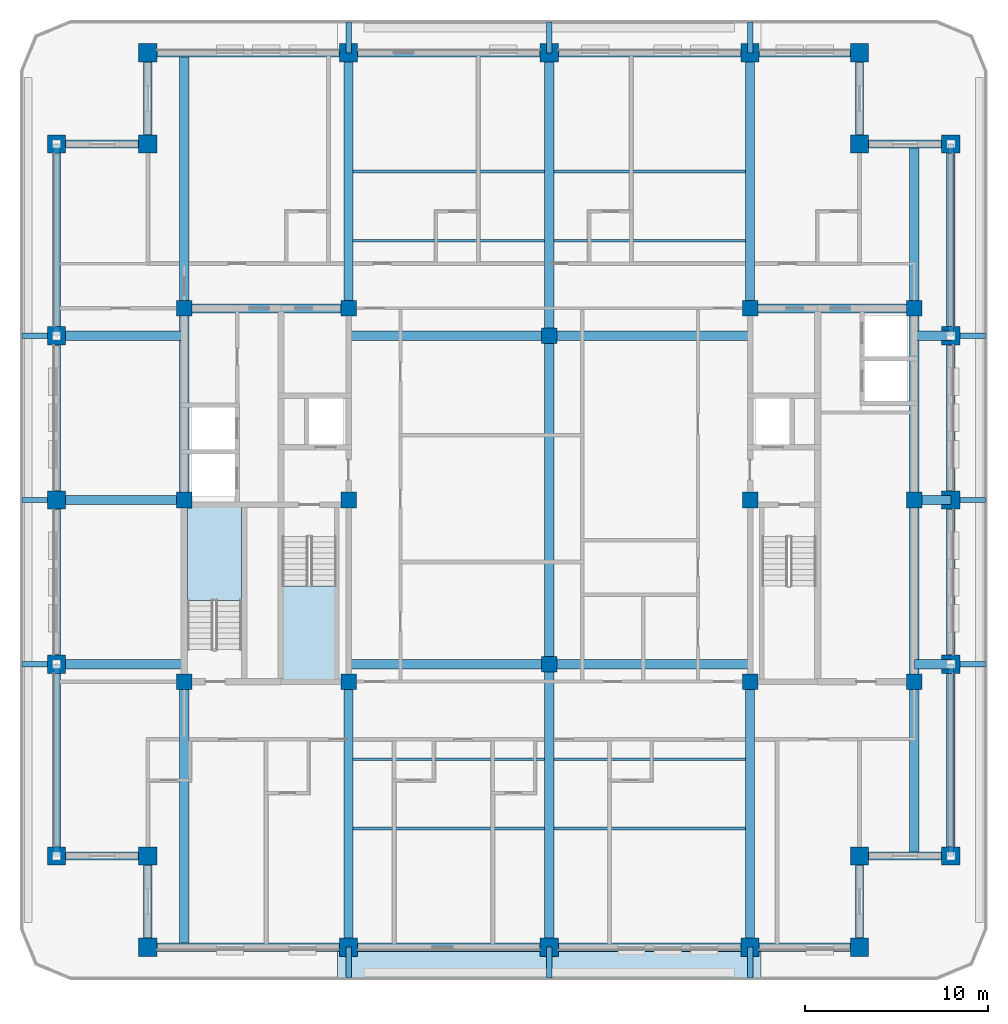
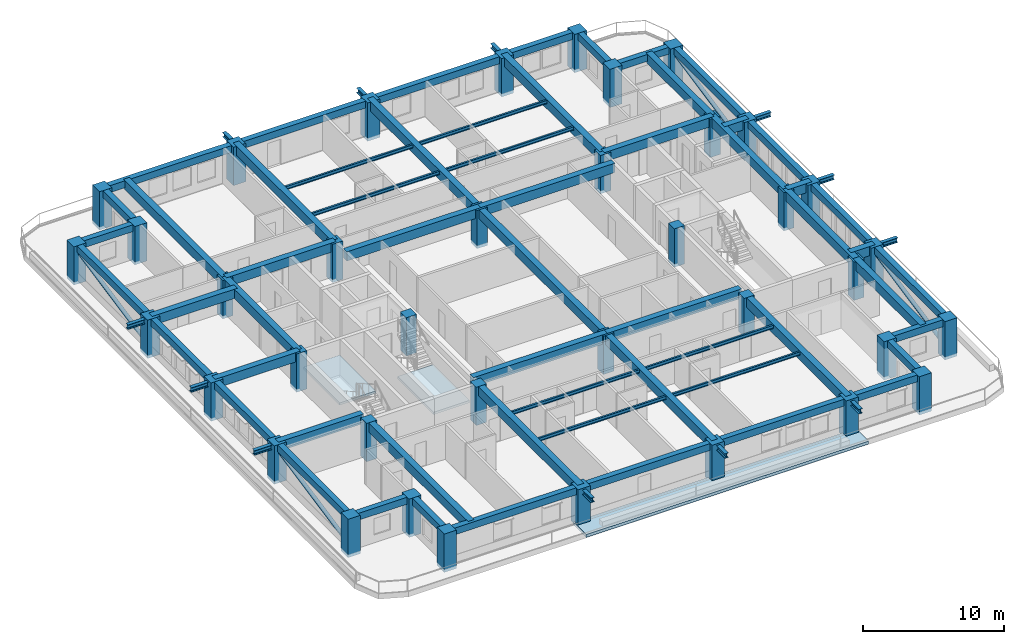
# One storey, part 1 of 14: 70 beams, 38 columns, 4 members, 3 slabs, 2 elements without a shape of their own.
"""IFC4 building model written with IfcOpenShell, lengths in metres."""

from ifc_helpers import new_model, si_unit, direction, frame, origin, origin_2d, place, context, subcontext, project, spatial, polyline, rectangle, hollow_circle, i_section, outline, extrude, material, layer, layer_set, material_profile, profile_set, type_object, element, aggregate, save


model = new_model("IFC4")

# Units and contexts
model_context = context("Model", 3, precision=1e-05, world=origin(), true_north=direction((0.0, 1.0)))
body_context = subcontext(model_context, "Body", "Model", "MODEL_VIEW")
ifc_project = project(units=[si_unit("LENGTHUNIT", "METRE"), si_unit("AREAUNIT", "SQUARE_METRE"), si_unit("VOLUMEUNIT", "CUBIC_METRE"), si_unit("PLANEANGLEUNIT", "RADIAN"), si_unit("MASSUNIT", "GRAM", prefix="KILO")], contexts=[model_context])

# Site, building, storey
site_placement = place(None, origin())
site = spatial("IfcSite", under=ifc_project, at=site_placement, CompositionType="ELEMENT")
building_placement = place(site_placement, origin())
building = spatial("IfcBuilding", under=site, at=building_placement, Name="Zulmaris Gate Convention Tower", CompositionType="ELEMENT")
storey_placement = place(building_placement, frame((0.0, 0.0, 208.4599609375)))
storey = spatial("IfcBuildingStorey", under=building, at=storey_placement, Name="L54", CompositionType="ELEMENT", Elevation=208.4599609375)

# Columns
ifc_material_1 = material(Name="Concrete C60/75", Category="concrete")
ifc_material_profile_1 = material_profile(ifc_material_1, rectangle(XDim=1.0, YDim=1.0, at=origin_2d()), Name="RC COL 1000x1000")
ifc_profile_set_1 = profile_set([ifc_material_profile_1], Name="Concrete C60/75")
column_type_1 = type_object("IfcColumnType", Name="COL-RC1000", PredefinedType="COLUMN", material=ifc_profile_set_1)
for number, where, z_axis, x_axis, name in (
    (1, (-22.0, -24.5, -0.25), (0.0, 0.0, 1.0), (1.0, 0.0, 0.0), "L54 Column PT--22.00_-24.50"),
    (2, (-11.0, -24.5, -0.25), (0.0, 0.0, 1.0), (1.0, 0.0, 0.0), "L54 Column PT--11.00_-24.50"),
    (3, (0.0, -24.5, -0.25), (0.0, 0.0, 1.0), (1.0, 0.0, 0.0), "L54 Column PT-+0.00_-24.50"),
    (4, (11.0, -24.5, -0.25), (0.0, 0.0, 1.0), (1.0, 0.0, 0.0), "L54 Column PT-+11.00_-24.50"),
    (5, (17.0, -24.5, -0.25), (0.0, 0.0, 1.0), (1.0, 0.0, 0.0), "L54 Column PT-+17.00_-24.50"),
    (6, (-22.0, 24.5, -0.25), (0.0, 0.0, 1.0), (1.0, 0.0, 0.0), "L54 Column PT--22.00_+24.50"),
    (7, (-11.0, 24.5, -0.25), (0.0, 0.0, 1.0), (1.0, 0.0, 0.0), "L54 Column PT--11.00_+24.50"),
    (8, (0.0, 24.5, -0.25), (0.0, 0.0, 1.0), (1.0, 0.0, 0.0), "L54 Column PT-+0.00_+24.50"),
    (9, (11.0, 24.5, -0.25), (0.0, 0.0, 1.0), (1.0, 0.0, 0.0), "L54 Column PT-+11.00_+24.50"),
    (10, (17.0, 24.5, -0.25), (0.0, 0.0, 1.0), (1.0, 0.0, 0.0), "L54 Column PT-+17.00_+24.50"),
    (11, (-27.0, -19.5, -0.25), (0.0, 0.0, 1.0), (1.0, 0.0, 0.0), "L54 Column PT--27.00_-19.50"),
    (12, (-27.0, -9.0, -0.25), (0.0, 0.0, 1.0), (1.0, 0.0, 0.0), "L54 Column PT--27.00_-9.00"),
    (13, (-27.0, 0.0, -0.25), (0.0, 0.0, 1.0), (1.0, 0.0, 0.0), "L54 Column PT--27.00_+0.00"),
    (14, (-27.0, 9.0, -0.25), (0.0, 0.0, 1.0), (1.0, 0.0, 0.0), "L54 Column PT--27.00_+9.00"),
    (15, (-27.0, 19.5, -0.25), (0.0, 0.0, 1.0), (1.0, 0.0, 0.0), "L54 Column PT--27.00_+19.50"),
    (16, (22.0, -19.5, -0.25), (0.0, 0.0, 1.0), (1.0, 0.0, 0.0), "L54 Column PT-+22.00_-19.50"),
    (17, (22.0, -9.0, -0.25), (0.0, 0.0, 1.0), (1.0, 0.0, 0.0), "L54 Column PT-+22.00_-9.00"),
    (18, (22.0, 0.0, -0.25), (0.0, 0.0, 1.0), (1.0, 0.0, 0.0), "L54 Column PT-+22.00_+0.00"),
    (19, (22.0, 9.0, -0.25), (0.0, 0.0, 1.0), (1.0, 0.0, 0.0), "L54 Column PT-+22.00_+9.00"),
    (20, (22.0, 19.5, -0.25), (0.0, 0.0, 1.0), (1.0, 0.0, 0.0), "L54 Column PT-+22.00_+19.50"),
    (21, (-22.0, -19.5, -0.25), (0.0, 0.0, 1.0), (1.0, 0.0, 0.0), "L54 Column PT--22.00_-19.50"),
    (22, (17.0, -19.5, -0.25), (0.0, 0.0, 1.0), (1.0, 0.0, 0.0), "L54 Column PT-+17.00_-19.50"),
    (23, (17.0, 19.5, -0.25), (0.0, 0.0, 1.0), (1.0, 0.0, 0.0), "L54 Column PT-+17.00_+19.50"),
    (24, (-22.0, 19.5, -0.25), (0.0, 0.0, 1.0), (1.0, 0.0, 0.0), "L54 Column PT--22.00_+19.50"),
):
    element("IfcColumn", number, at=place(storey_placement, frame(where, z_axis=z_axis, x_axis=x_axis)), inside=storey, type_object=column_type_1, Name=name, PredefinedType="COLUMN", context=body_context, shape_type="SweptSolid", body=[
        extrude(rectangle(XDim=1.0, YDim=1.0, at=origin_2d()), origin(), (0.0, 0.0, 1.0), 3.324951171875),
    ])
ifc_material_profile_2 = material_profile(ifc_material_1, rectangle(XDim=0.85009765625, YDim=0.85009765625, at=origin_2d()), Name="RC COL 850x850")
ifc_profile_set_2 = profile_set([ifc_material_profile_2], Name="Concrete C60/75")
column_type_2 = type_object("IfcColumnType", Name="COL-RC850", PredefinedType="COLUMN", material=ifc_profile_set_2)
for number, where, z_axis, x_axis, name in (
    (25, (-20.0, -9.949951171875, -0.25), (0.0, 0.0, 1.0), (1.0, 0.0, 0.0), "L54 Column IN--20.00_-9.95"),
    (26, (-20.0, 10.5, -0.25), (0.0, 0.0, 1.0), (1.0, 0.0, 0.0), "L54 Column IN--20.00_+10.50"),
    (27, (-11.0, -9.949951171875, -0.25), (0.0, 0.0, 1.0), (1.0, 0.0, 0.0), "L54 Column IN--11.00_-9.95"),
    (28, (-11.0, 0.0, -0.25), (0.0, 0.0, 1.0), (1.0, 0.0, 0.0), "L54 Column IN--11.00_+0.00"),
    (29, (-11.0, 10.5, -0.25), (0.0, 0.0, 1.0), (1.0, 0.0, 0.0), "L54 Column IN--11.00_+10.50"),
    (30, (11.0, -9.949951171875, -0.25), (0.0, 0.0, 1.0), (1.0, 0.0, 0.0), "L54 Column IN-+11.00_-9.95"),
    (31, (11.0, 0.0, -0.25), (0.0, 0.0, 1.0), (1.0, 0.0, 0.0), "L54 Column IN-+11.00_+0.00"),
    (32, (11.0, 10.5, -0.25), (0.0, 0.0, 1.0), (1.0, 0.0, 0.0), "L54 Column IN-+11.00_+10.50"),
    (33, (20.0, -9.949951171875, -0.25), (0.0, 0.0, 1.0), (1.0, 0.0, 0.0), "L54 Column IN-+20.00_-9.95"),
    (34, (20.0, 10.5, -0.25), (0.0, 0.0, 1.0), (1.0, 0.0, 0.0), "L54 Column IN-+20.00_+10.50"),
    (35, (0.0, -9.0, -0.25), (0.0, 0.0, 1.0), (1.0, 0.0, 0.0), "L54 Column IN-+0.00_-9.00"),
    (36, (0.0, 9.0, -0.25), (0.0, 0.0, 1.0), (1.0, 0.0, 0.0), "L54 Column IN-+0.00_+9.00"),
    (37, (-20.0, 0.0, -0.25), (0.0, 0.0, 1.0), (1.0, 0.0, 0.0), "L54 Column IN--20.00_+0.00"),
    (38, (20.0, 0.0, -0.25), (0.0, 0.0, 1.0), (1.0, 0.0, 0.0), "L54 Column IN-+20.00_+0.00"),
):
    element("IfcColumn", number, at=place(storey_placement, frame(where, z_axis=z_axis, x_axis=x_axis)), inside=storey, type_object=column_type_2, Name=name, PredefinedType="COLUMN", context=body_context, shape_type="SweptSolid", body=[
        extrude(rectangle(XDim=0.85009765625, YDim=0.85009765625, at=origin_2d()), origin(), (0.0, 0.0, 1.0), 3.324951171875),
    ])

# Beams
ifc_material_2 = material(Name="Steel S355", Category="steel")
ifc_material_profile_3 = material_profile(ifc_material_2, i_section(OverallWidth=0.300048828125, OverallDepth=0.39990234375, WebThickness=0.013427734375, FlangeThickness=0.02392578125, FilletRadius=0.027099609375, at=origin_2d()), Name="HEB 400")
ifc_profile_set_3 = profile_set([ifc_material_profile_3], Name="Steel S355")
beam_type_1 = type_object("IfcBeamType", Name="BM-HEB400", PredefinedType="BEAM", material=ifc_profile_set_3)
for number, where, z_axis, x_axis, name in (
    (39, (-11.0, -26.199951171875, 2.73486328125), (0.0, 1.0, 0.0), (-1.0, 0.0, 0.0), "L54 Beam TBRK-L54-S--11"),
    (40, (-11.0, 24.5, 2.73486328125), (0.0, 1.0, 0.0), (-1.0, 0.0, 0.0), "L54 Beam TBRK-L54-N--11"),
    (41, (0.0, -26.199951171875, 2.73486328125), (0.0, 1.0, 0.0), (-1.0, 0.0, 0.0), "L54 Beam TBRK-L54-S-+0"),
    (42, (0.0, 24.5, 2.73486328125), (0.0, 1.0, 0.0), (-1.0, 0.0, 0.0), "L54 Beam TBRK-L54-N-+0"),
    (43, (11.0, -26.199951171875, 2.73486328125), (0.0, 1.0, 0.0), (-1.0, 0.0, 0.0), "L54 Beam TBRK-L54-S-+11"),
    (44, (11.0, 24.5, 2.73486328125), (0.0, 1.0, 0.0), (-1.0, 0.0, 0.0), "L54 Beam TBRK-L54-N-+11"),
):
    element("IfcBeam", number, at=place(storey_placement, frame(where, z_axis=z_axis, x_axis=x_axis)), inside=storey, type_object=beam_type_1, Name=name, PredefinedType="BEAM", context=body_context, shape_type="SweptSolid", body=[
        extrude(i_section(OverallWidth=0.300048828125, OverallDepth=0.39990234375, WebThickness=0.013427734375, FlangeThickness=0.02392578125, FilletRadius=0.027099609375, at=origin_2d()), origin(), (0.0, 0.0, 1.0), 1.699951171875),
    ])
for number, where, z_axis, x_axis, name in (
    (45, (-28.89990234375, -9.0, 2.73486328125), (1.0, 0.0, 0.0), (0.0, 1.0, 0.0), "L54 Beam TBRK-L54-W--9"),
    (46, (22.0, -9.0, 2.73486328125), (1.0, 0.0, 0.0), (0.0, 1.0, 0.0), "L54 Beam TBRK-L54-E--9"),
    (47, (-28.89990234375, 0.0, 2.73486328125), (1.0, 0.0, 0.0), (0.0, 1.0, 0.0), "L54 Beam TBRK-L54-W-+0"),
    (48, (22.0, 0.0, 2.73486328125), (1.0, 0.0, 0.0), (0.0, 1.0, 0.0), "L54 Beam TBRK-L54-E-+0"),
    (49, (-28.89990234375, 9.0, 2.73486328125), (1.0, 0.0, 0.0), (0.0, 1.0, 0.0), "L54 Beam TBRK-L54-W-+9"),
    (50, (22.0, 9.0, 2.73486328125), (1.0, 0.0, 0.0), (0.0, 1.0, 0.0), "L54 Beam TBRK-L54-E-+9"),
):
    element("IfcBeam", number, at=place(storey_placement, frame(where, z_axis=z_axis, x_axis=x_axis)), inside=storey, type_object=beam_type_1, Name=name, PredefinedType="BEAM", context=body_context, shape_type="SweptSolid", body=[
        extrude(i_section(OverallWidth=0.300048828125, OverallDepth=0.39990234375, WebThickness=0.013427734375, FlangeThickness=0.02392578125, FilletRadius=0.027099609375, at=origin_2d()), origin(), (0.0, 0.0, 1.0), 1.89990234375),
    ])
ifc_material_3 = material(Name="Concrete C50/60", Category="concrete")
ifc_material_profile_4 = material_profile(ifc_material_3, rectangle(XDim=0.5, YDim=0.800048828125, at=origin_2d()), Name="RC BEAM 500x800")
ifc_profile_set_4 = profile_set([ifc_material_profile_4], Name="Concrete C50/60")
beam_type_2 = type_object("IfcBeamType", Name="BM-RC500x800", PredefinedType="BEAM", material=ifc_profile_set_4)
for number, where, z_axis, x_axis, name in (
    (51, (-11.0, -9.0, 2.675048828125), (1.0, 0.0, 0.0), (0.0, 1.0, 0.0), "L54 Beam BM-L54-G01"),
    (52, (0.0, -9.0, 2.675048828125), (1.0, 0.0, 0.0), (0.0, 1.0, 0.0), "L54 Beam BM-L54-G02"),
    (53, (-11.0, 9.0, 2.675048828125), (1.0, 0.0, 0.0), (0.0, 1.0, 0.0), "L54 Beam BM-L54-G03"),
    (54, (0.0, 9.0, 2.675048828125), (1.0, 0.0, 0.0), (0.0, 1.0, 0.0), "L54 Beam BM-L54-G04"),
):
    element("IfcBeam", number, at=place(storey_placement, frame(where, z_axis=z_axis, x_axis=x_axis)), inside=storey, type_object=beam_type_2, Name=name, PredefinedType="BEAM", context=body_context, shape_type="SweptSolid", body=[
        extrude(rectangle(XDim=0.5, YDim=0.800048828125, at=origin_2d()), origin(), (0.0, 0.0, 1.0), 11.0),
    ])
beam_1_placement = place(storey_placement, frame((0.0, -24.5, 2.675048828125), z_axis=(0.0, 1.0, 0.0), x_axis=(-1.0, 0.0, 0.0)))
element("IfcBeam", 55, at=beam_1_placement, inside=storey, type_object=beam_type_2, Name="L54 Beam BM-L54-G05", PredefinedType="BEAM", context=body_context, shape_type="SweptSolid", body=[
    extrude(rectangle(XDim=0.5, YDim=0.800048828125, at=origin_2d()), origin(), (0.0, 0.0, 1.0), 15.5),
])
beam_2_placement = place(storey_placement, frame((0.0, -9.0, 2.675048828125), z_axis=(0.0, 1.0, 0.0), x_axis=(-1.0, 0.0, 0.0)))
element("IfcBeam", 56, at=beam_2_placement, inside=storey, type_object=beam_type_2, Name="L54 Beam BM-L54-G06", PredefinedType="BEAM", context=body_context, shape_type="SweptSolid", body=[
    extrude(rectangle(XDim=0.5, YDim=0.800048828125, at=origin_2d()), origin(), (0.0, 0.0, 1.0), 18.0),
])
beam_3_placement = place(storey_placement, frame((0.0, 9.0, 2.675048828125), z_axis=(0.0, 1.0, 0.0), x_axis=(-1.0, 0.0, 0.0)))
element("IfcBeam", 57, at=beam_3_placement, inside=storey, type_object=beam_type_2, Name="L54 Beam BM-L54-G07", PredefinedType="BEAM", context=body_context, shape_type="SweptSolid", body=[
    extrude(rectangle(XDim=0.5, YDim=0.800048828125, at=origin_2d()), origin(), (0.0, 0.0, 1.0), 15.5),
])
beam_4_placement = place(storey_placement, frame((-11.0, -24.5, 2.675048828125), z_axis=(0.0, 1.0, 0.0), x_axis=(-1.0, 0.0, 0.0)))
element("IfcBeam", 58, at=beam_4_placement, inside=storey, type_object=beam_type_2, Name="L54 Beam BM-L54-G08", PredefinedType="BEAM", context=body_context, shape_type="SweptSolid", body=[
    extrude(rectangle(XDim=0.5, YDim=0.800048828125, at=origin_2d()), origin(), (0.0, 0.0, 1.0), 14.550048828125),
])
beam_5_placement = place(storey_placement, frame((-11.0, 10.5, 2.675048828125), z_axis=(0.0, 1.0, 0.0), x_axis=(-1.0, 0.0, 0.0)))
element("IfcBeam", 59, at=beam_5_placement, inside=storey, type_object=beam_type_2, Name="L54 Beam BM-L54-G09", PredefinedType="BEAM", context=body_context, shape_type="SweptSolid", body=[
    extrude(rectangle(XDim=0.5, YDim=0.800048828125, at=origin_2d()), origin(), (0.0, 0.0, 1.0), 14.0),
])
beam_6_placement = place(storey_placement, frame((11.0, -24.5, 2.675048828125), z_axis=(0.0, 1.0, 0.0), x_axis=(-1.0, 0.0, 0.0)))
element("IfcBeam", 60, at=beam_6_placement, inside=storey, type_object=beam_type_2, Name="L54 Beam BM-L54-G10", PredefinedType="BEAM", context=body_context, shape_type="SweptSolid", body=[
    extrude(rectangle(XDim=0.5, YDim=0.800048828125, at=origin_2d()), origin(), (0.0, 0.0, 1.0), 14.550048828125),
])
beam_7_placement = place(storey_placement, frame((11.0, 10.5, 2.675048828125), z_axis=(0.0, 1.0, 0.0), x_axis=(-1.0, 0.0, 0.0)))
element("IfcBeam", 61, at=beam_7_placement, inside=storey, type_object=beam_type_2, Name="L54 Beam BM-L54-G11", PredefinedType="BEAM", context=body_context, shape_type="SweptSolid", body=[
    extrude(rectangle(XDim=0.5, YDim=0.800048828125, at=origin_2d()), origin(), (0.0, 0.0, 1.0), 14.0),
])
beam_8_placement = place(storey_placement, frame((-20.0, -24.5, 2.675048828125), z_axis=(0.0, 1.0, 0.0), x_axis=(-1.0, 0.0, 0.0)))
element("IfcBeam", 62, at=beam_8_placement, inside=storey, type_object=beam_type_2, Name="L54 Beam BM-L54-G12", PredefinedType="BEAM", context=body_context, shape_type="SweptSolid", body=[
    extrude(rectangle(XDim=0.5, YDim=0.800048828125, at=origin_2d()), origin(), (0.0, 0.0, 1.0), 14.550048828125),
])
beam_9_placement = place(storey_placement, frame((-20.0, 10.5, 2.675048828125), z_axis=(0.0, 1.0, 0.0), x_axis=(-1.0, 0.0, 0.0)))
element("IfcBeam", 63, at=beam_9_placement, inside=storey, type_object=beam_type_2, Name="L54 Beam BM-L54-G13", PredefinedType="BEAM", context=body_context, shape_type="SweptSolid", body=[
    extrude(rectangle(XDim=0.5, YDim=0.800048828125, at=origin_2d()), origin(), (0.0, 0.0, 1.0), 14.0),
])
beam_10_placement = place(storey_placement, frame((20.0, -19.5, 2.675048828125), z_axis=(0.0, 1.0, 0.0), x_axis=(-1.0, 0.0, 0.0)))
element("IfcBeam", 64, at=beam_10_placement, inside=storey, type_object=beam_type_2, Name="L54 Beam BM-L54-G14", PredefinedType="BEAM", context=body_context, shape_type="SweptSolid", body=[
    extrude(rectangle(XDim=0.5, YDim=0.800048828125, at=origin_2d()), origin(), (0.0, 0.0, 1.0), 9.550048828125),
])
beam_11_placement = place(storey_placement, frame((20.0, 10.5, 2.675048828125), z_axis=(0.0, 1.0, 0.0), x_axis=(-1.0, 0.0, 0.0)))
element("IfcBeam", 65, at=beam_11_placement, inside=storey, type_object=beam_type_2, Name="L54 Beam BM-L54-G15", PredefinedType="BEAM", context=body_context, shape_type="SweptSolid", body=[
    extrude(rectangle(XDim=0.5, YDim=0.800048828125, at=origin_2d()), origin(), (0.0, 0.0, 1.0), 9.0),
])
for number, where, z_axis, x_axis, name in (
    (66, (-27.0, -9.0, 2.675048828125), (1.0, 0.0, 0.0), (0.0, 1.0, 0.0), "L54 Beam BM-L54-G16"),
    (67, (-27.0, 0.0, 2.675048828125), (1.0, 0.0, 0.0), (0.0, 1.0, 0.0), "L54 Beam BM-L54-G17"),
    (68, (-27.0, 9.0, 2.675048828125), (1.0, 0.0, 0.0), (0.0, 1.0, 0.0), "L54 Beam BM-L54-G18"),
):
    element("IfcBeam", number, at=place(storey_placement, frame(where, z_axis=z_axis, x_axis=x_axis)), inside=storey, type_object=beam_type_2, Name=name, PredefinedType="BEAM", context=body_context, shape_type="SweptSolid", body=[
        extrude(rectangle(XDim=0.5, YDim=0.800048828125, at=origin_2d()), origin(), (0.0, 0.0, 1.0), 7.0),
    ])
for number, where, z_axis, x_axis, name in (
    (69, (20.0, -9.0, 2.675048828125), (1.0, 0.0, 0.0), (0.0, 1.0, 0.0), "L54 Beam BM-L54-G19"),
    (70, (20.0, 0.0, 2.675048828125), (1.0, 0.0, 0.0), (0.0, 1.0, 0.0), "L54 Beam BM-L54-G20"),
    (71, (20.0, 9.0, 2.675048828125), (1.0, 0.0, 0.0), (0.0, 1.0, 0.0), "L54 Beam BM-L54-G21"),
):
    element("IfcBeam", number, at=place(storey_placement, frame(where, z_axis=z_axis, x_axis=x_axis)), inside=storey, type_object=beam_type_2, Name=name, PredefinedType="BEAM", context=body_context, shape_type="SweptSolid", body=[
        extrude(rectangle(XDim=0.5, YDim=0.800048828125, at=origin_2d()), origin(), (0.0, 0.0, 1.0), 2.0),
    ])
for number, where, z_axis, x_axis, name in (
    (72, (-20.0, 10.5, 2.675048828125), (1.0, 0.0, 0.0), (0.0, 1.0, 0.0), "L54 Beam BM-L54-G23"),
    (73, (11.0, 10.5, 2.675048828125), (1.0, 0.0, 0.0), (0.0, 1.0, 0.0), "L54 Beam BM-L54-G25"),
):
    element("IfcBeam", number, at=place(storey_placement, frame(where, z_axis=z_axis, x_axis=x_axis)), inside=storey, type_object=beam_type_2, Name=name, PredefinedType="BEAM", context=body_context, shape_type="SweptSolid", body=[
        extrude(rectangle(XDim=0.5, YDim=0.800048828125, at=origin_2d()), origin(), (0.0, 0.0, 1.0), 9.0),
    ])
beam_12_placement = place(storey_placement, frame((-20.0, 0.0, 2.675048828125), z_axis=(0.0, 1.0, 0.0), x_axis=(-1.0, 0.0, 0.0)))
element("IfcBeam", 74, at=beam_12_placement, inside=storey, type_object=beam_type_2, Name="L54 Beam BM-L54-G27", PredefinedType="BEAM", context=body_context, shape_type="SweptSolid", body=[
    extrude(rectangle(XDim=0.5, YDim=0.800048828125, at=origin_2d()), origin(), (0.0, 0.0, 1.0), 10.5),
])
beam_13_placement = place(storey_placement, frame((20.0, -9.949951171875, 2.675048828125), z_axis=(0.0, 1.0, 0.0), x_axis=(-1.0, 0.0, 0.0)))
element("IfcBeam", 75, at=beam_13_placement, inside=storey, type_object=beam_type_2, Name="L54 Beam BM-L54-G28", PredefinedType="BEAM", context=body_context, shape_type="SweptSolid", body=[
    extrude(rectangle(XDim=0.5, YDim=0.800048828125, at=origin_2d()), origin(), (0.0, 0.0, 1.0), 9.949951171875),
])
beam_14_placement = place(storey_placement, frame((20.0, 0.0, 2.675048828125), z_axis=(0.0, 1.0, 0.0), x_axis=(-1.0, 0.0, 0.0)))
element("IfcBeam", 76, at=beam_14_placement, inside=storey, type_object=beam_type_2, Name="L54 Beam BM-L54-G29", PredefinedType="BEAM", context=body_context, shape_type="SweptSolid", body=[
    extrude(rectangle(XDim=0.5, YDim=0.800048828125, at=origin_2d()), origin(), (0.0, 0.0, 1.0), 10.5),
])
ifc_material_4 = material(Name="Precast concrete C50/60", Category="concrete")
ifc_material_profile_5 = material_profile(ifc_material_4, rectangle(XDim=0.449951171875, YDim=0.60009765625, at=origin_2d()), Name="RC SPANDREL 450x600")
ifc_profile_set_5 = profile_set([ifc_material_profile_5], Name="Precast concrete C50/60")
beam_type_3 = type_object("IfcBeamType", Name="BM-SP450x600", PredefinedType="SPANDREL", material=ifc_profile_set_5)
for number, where, z_axis, x_axis, name in (
    (77, (-22.0, -24.5, 2.77490234375), (1.0, 0.0, 0.0), (0.0, 1.0, 0.0), "L54 Spandrel SP-L54-01"),
    (78, (-11.0, -24.5, 2.77490234375), (1.0, 0.0, 0.0), (0.0, 1.0, 0.0), "L54 Spandrel SP-L54-02"),
    (79, (0.0, -24.5, 2.77490234375), (1.0, 0.0, 0.0), (0.0, 1.0, 0.0), "L54 Spandrel SP-L54-03"),
):
    element("IfcBeam", number, at=place(storey_placement, frame(where, z_axis=z_axis, x_axis=x_axis)), inside=storey, type_object=beam_type_3, Name=name, PredefinedType="SPANDREL", context=body_context, shape_type="SweptSolid", body=[
        extrude(rectangle(XDim=0.449951171875, YDim=0.60009765625, at=origin_2d()), origin(), (0.0, 0.0, 1.0), 11.0),
    ])
beam_15_placement = place(storey_placement, frame((11.0, -24.5, 2.77490234375), z_axis=(1.0, 0.0, 0.0), x_axis=(0.0, 1.0, 0.0)))
element("IfcBeam", 80, at=beam_15_placement, inside=storey, type_object=beam_type_3, Name="L54 Spandrel SP-L54-04", PredefinedType="SPANDREL", context=body_context, shape_type="SweptSolid", body=[
    extrude(rectangle(XDim=0.449951171875, YDim=0.60009765625, at=origin_2d()), origin(), (0.0, 0.0, 1.0), 6.0),
])
for number, where, z_axis, x_axis, name in (
    (81, (17.0, -24.5, 2.77490234375), (0.0, 1.0, 0.0), (-1.0, 0.0, 0.0), "L54 Spandrel SP-L54-05"),
    (82, (17.0, -19.5, 2.77490234375), (1.0, 0.0, 0.0), (0.0, 1.0, 0.0), "L54 Spandrel SP-L54-06"),
):
    element("IfcBeam", number, at=place(storey_placement, frame(where, z_axis=z_axis, x_axis=x_axis)), inside=storey, type_object=beam_type_3, Name=name, PredefinedType="SPANDREL", context=body_context, shape_type="SweptSolid", body=[
        extrude(rectangle(XDim=0.449951171875, YDim=0.60009765625, at=origin_2d()), origin(), (0.0, 0.0, 1.0), 5.0),
    ])
beam_16_placement = place(storey_placement, frame((22.0, -19.5, 2.77490234375), z_axis=(0.0, 1.0, 0.0), x_axis=(-1.0, 0.0, 0.0)))
element("IfcBeam", 83, at=beam_16_placement, inside=storey, type_object=beam_type_3, Name="L54 Spandrel SP-L54-07", PredefinedType="SPANDREL", context=body_context, shape_type="SweptSolid", body=[
    extrude(rectangle(XDim=0.449951171875, YDim=0.60009765625, at=origin_2d()), origin(), (0.0, 0.0, 1.0), 10.5),
])
for number, where, z_axis, x_axis, name in (
    (84, (22.0, -9.0, 2.77490234375), (0.0, 1.0, 0.0), (-1.0, 0.0, 0.0), "L54 Spandrel SP-L54-08"),
    (85, (22.0, 0.0, 2.77490234375), (0.0, 1.0, 0.0), (-1.0, 0.0, 0.0), "L54 Spandrel SP-L54-09"),
):
    element("IfcBeam", number, at=place(storey_placement, frame(where, z_axis=z_axis, x_axis=x_axis)), inside=storey, type_object=beam_type_3, Name=name, PredefinedType="SPANDREL", context=body_context, shape_type="SweptSolid", body=[
        extrude(rectangle(XDim=0.449951171875, YDim=0.60009765625, at=origin_2d()), origin(), (0.0, 0.0, 1.0), 9.0),
    ])
beam_17_placement = place(storey_placement, frame((22.0, 9.0, 2.77490234375), z_axis=(0.0, 1.0, 0.0), x_axis=(-1.0, 0.0, 0.0)))
element("IfcBeam", 86, at=beam_17_placement, inside=storey, type_object=beam_type_3, Name="L54 Spandrel SP-L54-10", PredefinedType="SPANDREL", context=body_context, shape_type="SweptSolid", body=[
    extrude(rectangle(XDim=0.449951171875, YDim=0.60009765625, at=origin_2d()), origin(), (0.0, 0.0, 1.0), 10.5),
])
for number, where, z_axis, x_axis, name in (
    (87, (22.0, 19.5, 2.77490234375), (-1.0, 0.0, 0.0), (0.0, -1.0, 0.0), "L54 Spandrel SP-L54-11"),
    (88, (17.0, 19.5, 2.77490234375), (0.0, 1.0, 0.0), (-1.0, 0.0, 0.0), "L54 Spandrel SP-L54-12"),
):
    element("IfcBeam", number, at=place(storey_placement, frame(where, z_axis=z_axis, x_axis=x_axis)), inside=storey, type_object=beam_type_3, Name=name, PredefinedType="SPANDREL", context=body_context, shape_type="SweptSolid", body=[
        extrude(rectangle(XDim=0.449951171875, YDim=0.60009765625, at=origin_2d()), origin(), (0.0, 0.0, 1.0), 5.0),
    ])
beam_18_placement = place(storey_placement, frame((17.0, 24.5, 2.77490234375), z_axis=(-1.0, 0.0, 0.0), x_axis=(0.0, -1.0, 0.0)))
element("IfcBeam", 89, at=beam_18_placement, inside=storey, type_object=beam_type_3, Name="L54 Spandrel SP-L54-13", PredefinedType="SPANDREL", context=body_context, shape_type="SweptSolid", body=[
    extrude(rectangle(XDim=0.449951171875, YDim=0.60009765625, at=origin_2d()), origin(), (0.0, 0.0, 1.0), 6.0),
])
for number, where, z_axis, x_axis, name in (
    (90, (11.0, 24.5, 2.77490234375), (-1.0, 0.0, 0.0), (0.0, -1.0, 0.0), "L54 Spandrel SP-L54-14"),
    (91, (0.0, 24.5, 2.77490234375), (-1.0, 0.0, 0.0), (0.0, -1.0, 0.0), "L54 Spandrel SP-L54-15"),
    (92, (-11.0, 24.5, 2.77490234375), (-1.0, 0.0, 0.0), (0.0, -1.0, 0.0), "L54 Spandrel SP-L54-16"),
):
    element("IfcBeam", number, at=place(storey_placement, frame(where, z_axis=z_axis, x_axis=x_axis)), inside=storey, type_object=beam_type_3, Name=name, PredefinedType="SPANDREL", context=body_context, shape_type="SweptSolid", body=[
        extrude(rectangle(XDim=0.449951171875, YDim=0.60009765625, at=origin_2d()), origin(), (0.0, 0.0, 1.0), 11.0),
    ])
for number, where, z_axis, x_axis, name in (
    (93, (-22.0, 24.5, 2.77490234375), (0.0, -1.0, 0.0), (1.0, 0.0, 0.0), "L54 Spandrel SP-L54-17"),
    (94, (-22.0, 19.5, 2.77490234375), (-1.0, 0.0, 0.0), (0.0, -1.0, 0.0), "L54 Spandrel SP-L54-18"),
):
    element("IfcBeam", number, at=place(storey_placement, frame(where, z_axis=z_axis, x_axis=x_axis)), inside=storey, type_object=beam_type_3, Name=name, PredefinedType="SPANDREL", context=body_context, shape_type="SweptSolid", body=[
        extrude(rectangle(XDim=0.449951171875, YDim=0.60009765625, at=origin_2d()), origin(), (0.0, 0.0, 1.0), 5.0),
    ])
beam_19_placement = place(storey_placement, frame((-27.0, 19.5, 2.77490234375), z_axis=(0.0, -1.0, 0.0), x_axis=(1.0, 0.0, 0.0)))
element("IfcBeam", 95, at=beam_19_placement, inside=storey, type_object=beam_type_3, Name="L54 Spandrel SP-L54-19", PredefinedType="SPANDREL", context=body_context, shape_type="SweptSolid", body=[
    extrude(rectangle(XDim=0.449951171875, YDim=0.60009765625, at=origin_2d()), origin(), (0.0, 0.0, 1.0), 10.5),
])
for number, where, z_axis, x_axis, name in (
    (96, (-27.0, 9.0, 2.77490234375), (0.0, -1.0, 0.0), (1.0, 0.0, 0.0), "L54 Spandrel SP-L54-20"),
    (97, (-27.0, 0.0, 2.77490234375), (0.0, -1.0, 0.0), (1.0, 0.0, 0.0), "L54 Spandrel SP-L54-21"),
):
    element("IfcBeam", number, at=place(storey_placement, frame(where, z_axis=z_axis, x_axis=x_axis)), inside=storey, type_object=beam_type_3, Name=name, PredefinedType="SPANDREL", context=body_context, shape_type="SweptSolid", body=[
        extrude(rectangle(XDim=0.449951171875, YDim=0.60009765625, at=origin_2d()), origin(), (0.0, 0.0, 1.0), 9.0),
    ])
beam_20_placement = place(storey_placement, frame((-27.0, -9.0, 2.77490234375), z_axis=(0.0, -1.0, 0.0), x_axis=(1.0, 0.0, 0.0)))
element("IfcBeam", 98, at=beam_20_placement, inside=storey, type_object=beam_type_3, Name="L54 Spandrel SP-L54-22", PredefinedType="SPANDREL", context=body_context, shape_type="SweptSolid", body=[
    extrude(rectangle(XDim=0.449951171875, YDim=0.60009765625, at=origin_2d()), origin(), (0.0, 0.0, 1.0), 10.5),
])
for number, where, z_axis, x_axis, name in (
    (99, (-27.0, -19.5, 2.77490234375), (1.0, 0.0, 0.0), (0.0, 1.0, 0.0), "L54 Spandrel SP-L54-23"),
    (100, (-22.0, -19.5, 2.77490234375), (0.0, -1.0, 0.0), (1.0, 0.0, 0.0), "L54 Spandrel SP-L54-24"),
):
    element("IfcBeam", number, at=place(storey_placement, frame(where, z_axis=z_axis, x_axis=x_axis)), inside=storey, type_object=beam_type_3, Name=name, PredefinedType="SPANDREL", context=body_context, shape_type="SweptSolid", body=[
        extrude(rectangle(XDim=0.449951171875, YDim=0.60009765625, at=origin_2d()), origin(), (0.0, 0.0, 1.0), 5.0),
    ])

# Members
ifc_material_profile_6 = material_profile(ifc_material_2, hollow_circle(Radius=0.161865234375, WallThickness=0.01611328125, at=origin_2d()), Name="CHS 323.9x16")
ifc_profile_set_6 = profile_set([ifc_material_profile_6], Name="Steel S355")
member_type = type_object("IfcMemberType", Name="BR-CHS324", PredefinedType="BRACE", material=ifc_profile_set_6)
for number, where, z_axis, x_axis, name in (
    (101, (-27.0, -19.5, 0.300048828125), (0.0, 0.979585452755, 0.201028208845), (-1.0, 0.0, 0.0), "L54 Perimeter Tube Diagonal SW-W"),
    (102, (-27.0, 9.0, 0.300048828125), (0.0, 0.979585452755, 0.201028208845), (-1.0, 0.0, 0.0), "L54 Perimeter Tube Diagonal NW-W"),
    (103, (22.0, -19.5, 0.300048828125), (0.0, 0.979585452755, 0.201028208845), (-1.0, 0.0, 0.0), "L54 Perimeter Tube Diagonal SE-E"),
    (104, (22.0, 9.0, 0.300048828125), (0.0, 0.979585452755, 0.201028208845), (-1.0, 0.0, 0.0), "L54 Perimeter Tube Diagonal NE-E"),
):
    element("IfcMember", number, at=place(storey_placement, frame(where, z_axis=z_axis, x_axis=x_axis)), inside=storey, type_object=member_type, Name=name, PredefinedType="BRACE", context=body_context, shape_type="SweptSolid", body=[
        extrude(hollow_circle(Radius=0.161865234375, WallThickness=0.01611328125, at=origin_2d()), origin(), (0.0, 0.0, 1.0), 10.71875),
    ])

# Beams
ifc_material_profile_7 = material_profile(ifc_material_2, i_section(OverallWidth=0.14990234375, OverallDepth=0.300048828125, WebThickness=0.007080078125, FlangeThickness=0.0107421875, FilletRadius=0.014892578125, at=origin_2d()), Name="IPE 300")
ifc_profile_set_7 = profile_set([ifc_material_profile_7], Name="Steel S355")
beam_type_4 = type_object("IfcBeamType", Name="JT-IPE300", PredefinedType="JOIST", material=ifc_profile_set_7)
for number, where, z_axis, x_axis, name in (
    (105, (-10.75, -18.0, 2.9228515625), (1.0, 0.0, 0.0), (0.0, 1.0, 0.0), "L54 Joist JT-L54-CW--18.0"),
    (106, (0.25, -18.0, 2.9228515625), (1.0, 0.0, 0.0), (0.0, 1.0, 0.0), "L54 Joist JT-L54-CE--18.0"),
    (107, (-10.75, -14.199951171875, 2.9228515625), (1.0, 0.0, 0.0), (0.0, 1.0, 0.0), "L54 Joist JT-L54-CW--14.2"),
    (108, (0.25, -14.199951171875, 2.9228515625), (1.0, 0.0, 0.0), (0.0, 1.0, 0.0), "L54 Joist JT-L54-CE--14.2"),
    (109, (-10.75, 14.199951171875, 2.9228515625), (1.0, 0.0, 0.0), (0.0, 1.0, 0.0), "L54 Joist JT-L54-CW-+14.2"),
    (110, (0.25, 14.199951171875, 2.9228515625), (1.0, 0.0, 0.0), (0.0, 1.0, 0.0), "L54 Joist JT-L54-CE-+14.2"),
    (111, (-10.75, 18.0, 2.9228515625), (1.0, 0.0, 0.0), (0.0, 1.0, 0.0), "L54 Joist JT-L54-CW-+18.0"),
    (112, (0.25, 18.0, 2.9228515625), (1.0, 0.0, 0.0), (0.0, 1.0, 0.0), "L54 Joist JT-L54-CE-+18.0"),
):
    element("IfcBeam", number, at=place(storey_placement, frame(where, z_axis=z_axis, x_axis=x_axis)), inside=storey, type_object=beam_type_4, Name=name, PredefinedType="JOIST", context=body_context, shape_type="SweptSolid", body=[
        extrude(i_section(OverallWidth=0.14990234375, OverallDepth=0.300048828125, WebThickness=0.007080078125, FlangeThickness=0.0107421875, FilletRadius=0.014892578125, at=origin_2d()), origin(), (0.0, 0.0, 1.0), 10.5),
    ])

# Slab
ifc_layer_1 = layer(ifc_material_4, 0.260009765625, Name="Precast concrete C50/60")
ifc_layer_set_1 = layer_set([ifc_layer_1], Name="Precast concrete C50/60")
slab_type_1 = type_object("IfcSlabType", Name="SL-BAL-260", PredefinedType="FLOOR", material=ifc_layer_set_1)
slab_1_placement = place(storey_placement, frame((0.0, 0.0, -0.25)))
element("IfcSlab", 113, at=slab_1_placement, inside=storey, type_object=slab_type_1, Name="L54 South Tree-Balcony Planter Slab", PredefinedType="FLOOR", context=body_context, shape_type="SweptSolid", body=[
    extrude(outline(polyline([(-11.597900390625, -26.300048828125), (-11.597900390625, -24.5), (11.597900390625, -24.5), (11.597900390625, -26.300048828125), (-11.597900390625, -26.300048828125)])), origin(), (0.0, 0.0, 1.0), 0.260009765625),
])

# Stair, slab
ifc_material_5 = material(Name="Concrete C45/55", Category="concrete")
stair_type = type_object("IfcStairType", Name="ST-CORE-DOGLEG", PredefinedType="HALF_TURN_STAIR", material=ifc_material_5)
stair_1_placement = place(storey_placement, origin())
stair_1 = element("IfcStair", 114, at=stair_1_placement, inside=storey, type_object=stair_type, Name="L54 Core Exit Stair ST-1", PredefinedType="HALF_TURN_STAIR")
ifc_layer_2 = layer(ifc_material_5, 0.199951171875, Name="Concrete C45/55")
ifc_layer_set_2 = layer_set([ifc_layer_2], Name="Concrete C45/55")
slab_type_2 = type_object("IfcSlabType", Name="SL-LND-200", PredefinedType="LANDING", material=ifc_layer_set_2)
slab_2_placement = place(storey_placement, frame((0.0, 0.0, 1.5)))
slab_2 = element("IfcSlab", 115, at=slab_2_placement, type_object=slab_type_2, Name="ST-1 landing 1", PredefinedType="LANDING", context=body_context, shape_type="SweptSolid", body=[
    extrude(outline(polyline([(-14.6201171875, -4.699951171875), (-14.6201171875, -9.85009765625), (-11.659912109375, -9.85009765625), (-11.659912109375, -4.699951171875), (-14.6201171875, -4.699951171875)])), origin(), (0.0, 0.0, 1.0), 0.199951171875),
])
aggregate(stair_1, [slab_2])

stair_2_placement = place(storey_placement, origin())
stair_2 = element("IfcStair", 116, at=stair_2_placement, inside=storey, type_object=stair_type, Name="L54 Core Exit Stair ST-3", PredefinedType="HALF_TURN_STAIR")
slab_3_placement = place(storey_placement, frame((0.0, 0.0, 1.5)))
slab_3 = element("IfcSlab", 117, at=slab_3_placement, type_object=slab_type_2, Name="ST-3 landing 1", PredefinedType="LANDING", context=body_context, shape_type="SweptSolid", body=[
    extrude(outline(polyline([(-16.860107421875, -5.5), (-16.860107421875, -0.35009765625), (-19.820068359375, -0.35009765625), (-19.820068359375, -5.5), (-16.860107421875, -5.5)])), origin(), (0.0, 0.0, 1.0), 0.199951171875),
])
aggregate(stair_2, [slab_3])

save(model, "model.ifc")
